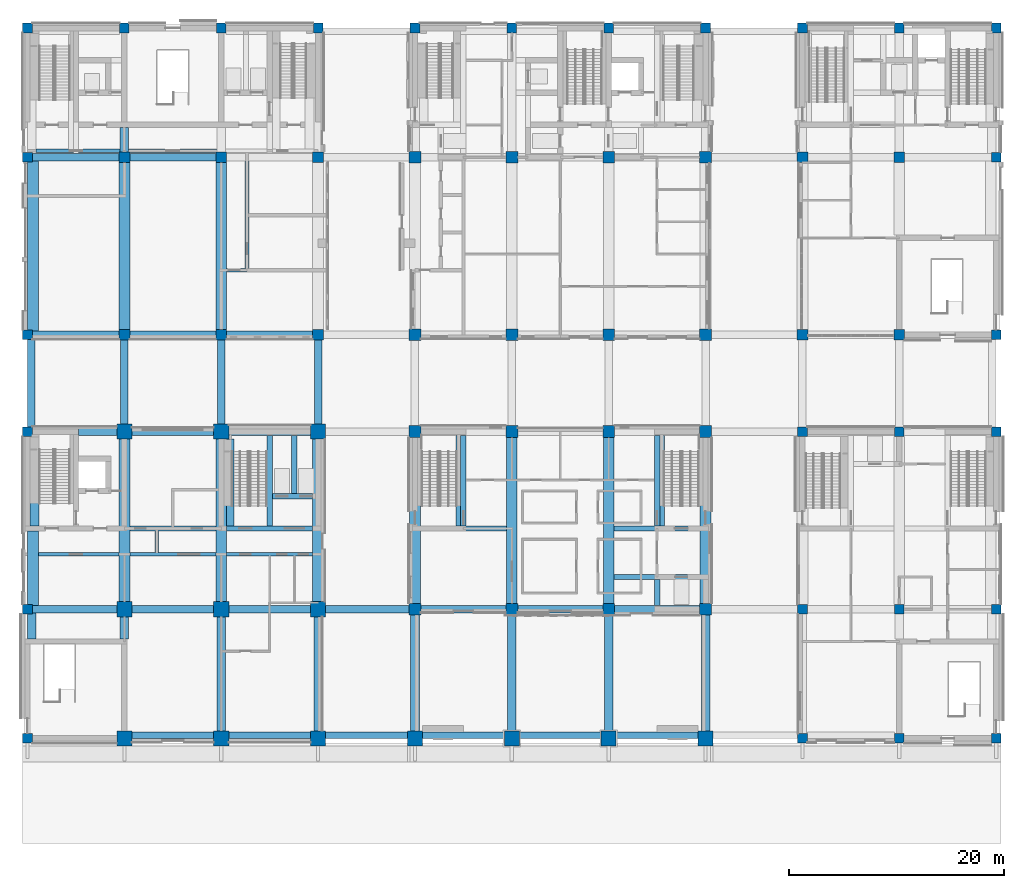
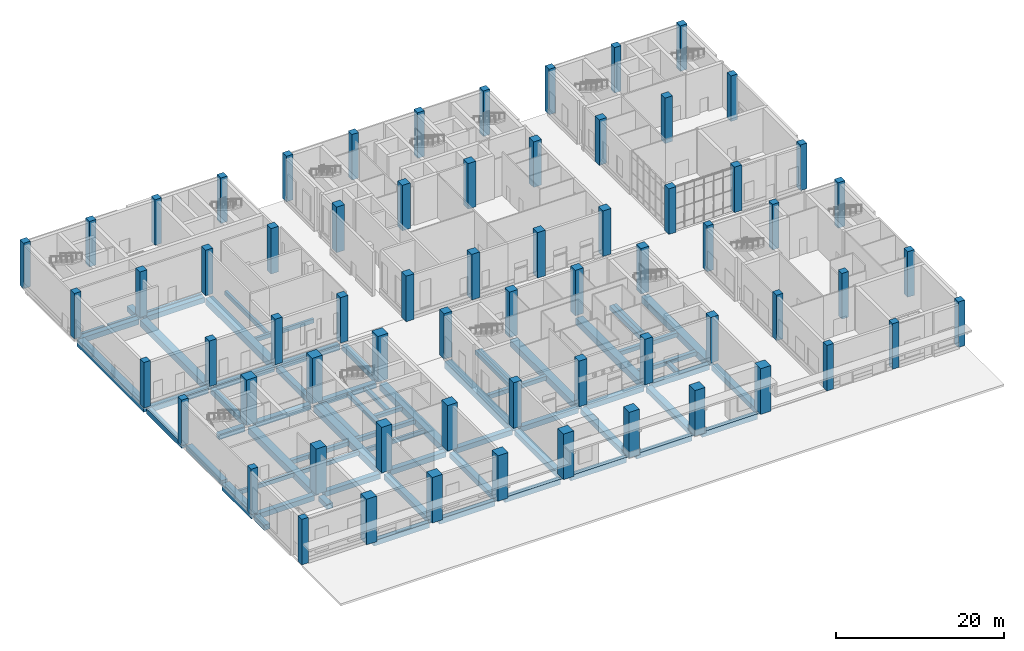
# One storey, part 1 of 35: 69 beams, 66 columns.
"""IFC4 building model written with IfcOpenShell, lengths in metres."""

from ifc_helpers import new_model, si_unit, direction, frame, origin, origin_2d, place, context, subcontext, project, spatial, rectangle, extrude, material, material_profile, profile_set, type_object, element, save


model = new_model("IFC4")

# Units and contexts
model_context = context("Model", 3, precision=1e-05, world=origin(), true_north=direction((0.0, 1.0)))
body_context = subcontext(model_context, "Body", "Model", "MODEL_VIEW")
ifc_project = project(units=[si_unit("LENGTHUNIT", "METRE"), si_unit("AREAUNIT", "SQUARE_METRE"), si_unit("VOLUMEUNIT", "CUBIC_METRE"), si_unit("PLANEANGLEUNIT", "RADIAN"), si_unit("MASSUNIT", "GRAM", prefix="KILO")], contexts=[model_context])

# Site, building, storey
site_placement = place(None, origin())
site = spatial("IfcSite", under=ifc_project, at=site_placement, CompositionType="ELEMENT")
building_placement = place(site_placement, origin())
building = spatial("IfcBuilding", under=site, at=building_placement, Name="Aurelan Courthouse", CompositionType="ELEMENT")
storey_placement = place(building_placement, origin())
storey = spatial("IfcBuildingStorey", under=building, at=storey_placement, Name="L00", CompositionType="ELEMENT", Elevation=0.0)

# Columns
ifc_material_1 = material(Name="Concrete C50", Category="concrete")
ifc_material_profile_1 = material_profile(ifc_material_1, rectangle(XDim=1.0, YDim=1.0, at=origin_2d()), Name="RC 1000 x 1000")
ifc_profile_set_1 = profile_set([ifc_material_profile_1], Name="Concrete C50")
column_type_1 = type_object("IfcColumnType", Name="RC column 1000 x 1000 C50", PredefinedType="COLUMN", material=ifc_profile_set_1)
for number, where, z_axis, x_axis, name in (
    (1, (9.0, 37.5, 0.0), (0.0, 0.0, 1.0), (1.0, 0.0, 0.0), "Column C-D2-A"),
    (2, (18.0, 37.5, 0.0), (0.0, 0.0, 1.0), (1.0, 0.0, 0.0), "Column C-D3-A"),
    (3, (27.0, 37.5, 0.0), (0.0, 0.0, 1.0), (1.0, 0.0, 0.0), "Column C-D4-A"),
    (4, (72.0, 37.5, 0.0), (0.0, 0.0, 1.0), (1.0, 0.0, 0.0), "Column C-D9-A"),
    (5, (81.0, 37.5, 0.0), (0.0, 0.0, 1.0), (1.0, 0.0, 0.0), "Column C-D10-A"),
    (6, (9.0, 54.0, 0.0), (0.0, 0.0, 1.0), (1.0, 0.0, 0.0), "Column C-E2-A"),
    (7, (18.0, 54.0, 0.0), (0.0, 0.0, 1.0), (1.0, 0.0, 0.0), "Column C-E3-A"),
    (8, (27.0, 54.0, 0.0), (0.0, 0.0, 1.0), (1.0, 0.0, 0.0), "Column C-E4-A"),
    (9, (72.0, 54.0, 0.0), (0.0, 0.0, 1.0), (1.0, 0.0, 0.0), "Column C-E9-A"),
    (10, (81.0, 54.0, 0.0), (0.0, 0.0, 1.0), (1.0, 0.0, 0.0), "Column C-E10-A"),
):
    element("IfcColumn", number, at=place(storey_placement, frame(where, z_axis=z_axis, x_axis=x_axis)), inside=storey, type_object=column_type_1, Name=name, PredefinedType="COLUMN", context=body_context, shape_type="SweptSolid", body=[
        extrude(rectangle(XDim=1.0, YDim=1.0, at=origin_2d()), origin(), (0.0, 0.0, 1.0), 6.60009765625),
    ])
ifc_material_profile_2 = material_profile(ifc_material_1, rectangle(XDim=1.10009765625, YDim=1.10009765625, at=origin_2d()), Name="RC 1100 x 1100")
ifc_profile_set_2 = profile_set([ifc_material_profile_2], Name="Concrete C50")
column_type_2 = type_object("IfcColumnType", Name="RC column 1100 x 1100 C50", PredefinedType="COLUMN", material=ifc_profile_set_2)
for number, where, z_axis, x_axis, name in (
    (11, (36.0, 12.0, 0.0), (0.0, 0.0, 1.0), (1.0, 0.0, 0.0), "Column C-B5-A"),
    (12, (45.0, 12.0, 0.0), (0.0, 0.0, 1.0), (1.0, 0.0, 0.0), "Column C-B6-A"),
    (13, (54.0, 12.0, 0.0), (0.0, 0.0, 1.0), (1.0, 0.0, 0.0), "Column C-B7-A"),
    (14, (63.0, 12.0, 0.0), (0.0, 0.0, 1.0), (1.0, 0.0, 0.0), "Column C-B8-A"),
    (15, (36.0, 28.5, 0.0), (0.0, 0.0, 1.0), (1.0, 0.0, 0.0), "Column C-C5-A"),
    (16, (45.0, 28.5, 0.0), (0.0, 0.0, 1.0), (1.0, 0.0, 0.0), "Column C-C6-A"),
    (17, (54.0, 28.5, 0.0), (0.0, 0.0, 1.0), (1.0, 0.0, 0.0), "Column C-C7-A"),
    (18, (63.0, 28.5, 0.0), (0.0, 0.0, 1.0), (1.0, 0.0, 0.0), "Column C-C8-A"),
    (19, (36.0, 37.5, 0.0), (0.0, 0.0, 1.0), (1.0, 0.0, 0.0), "Column C-D5-A"),
    (20, (45.0, 37.5, 0.0), (0.0, 0.0, 1.0), (1.0, 0.0, 0.0), "Column C-D6-A"),
    (21, (54.0, 37.5, 0.0), (0.0, 0.0, 1.0), (1.0, 0.0, 0.0), "Column C-D7-A"),
    (22, (63.0, 37.5, 0.0), (0.0, 0.0, 1.0), (1.0, 0.0, 0.0), "Column C-D8-A"),
    (23, (36.0, 54.0, 0.0), (0.0, 0.0, 1.0), (1.0, 0.0, 0.0), "Column C-E5-A"),
    (24, (45.0, 54.0, 0.0), (0.0, 0.0, 1.0), (1.0, 0.0, 0.0), "Column C-E6-A"),
    (25, (54.0, 54.0, 0.0), (0.0, 0.0, 1.0), (1.0, 0.0, 0.0), "Column C-E7-A"),
    (26, (63.0, 54.0, 0.0), (0.0, 0.0, 1.0), (1.0, 0.0, 0.0), "Column C-E8-A"),
):
    element("IfcColumn", number, at=place(storey_placement, frame(where, z_axis=z_axis, x_axis=x_axis)), inside=storey, type_object=column_type_2, Name=name, PredefinedType="COLUMN", context=body_context, shape_type="SweptSolid", body=[
        extrude(rectangle(XDim=1.10009765625, YDim=1.10009765625, at=origin_2d()), origin(), (0.0, 0.0, 1.0), 6.60009765625),
    ])
ifc_material_profile_3 = material_profile(ifc_material_1, rectangle(XDim=1.39990234375, YDim=1.39990234375, at=origin_2d()), Name="RC 1400 x 1400")
ifc_profile_set_3 = profile_set([ifc_material_profile_3], Name="Concrete C50")
column_type_3 = type_object("IfcColumnType", Name="RC column 1400 x 1400 C50", PredefinedType="COLUMN", material=ifc_profile_set_3)
for number, where, z_axis, x_axis, name in (
    (27, (9.0, 0.0, 0.0), (0.0, 0.0, 1.0), (1.0, 0.0, 0.0), "Column C-A2-A"),
    (28, (18.0, 0.0, 0.0), (0.0, 0.0, 1.0), (1.0, 0.0, 0.0), "Column C-A3-A"),
    (29, (27.0, 0.0, 0.0), (0.0, 0.0, 1.0), (1.0, 0.0, 0.0), "Column C-A4-A"),
    (30, (36.0, 0.0, 0.0), (0.0, 0.0, 1.0), (1.0, 0.0, 0.0), "Column C-A5-A"),
    (31, (45.0, 0.0, 0.0), (0.0, 0.0, 1.0), (1.0, 0.0, 0.0), "Column C-A6-A"),
    (32, (54.0, 0.0, 0.0), (0.0, 0.0, 1.0), (1.0, 0.0, 0.0), "Column C-A7-A"),
    (33, (63.0, 0.0, 0.0), (0.0, 0.0, 1.0), (1.0, 0.0, 0.0), "Column C-A8-A"),
    (34, (9.0, 12.0, 0.0), (0.0, 0.0, 1.0), (1.0, 0.0, 0.0), "Column C-B2-A"),
    (35, (18.0, 12.0, 0.0), (0.0, 0.0, 1.0), (1.0, 0.0, 0.0), "Column C-B3-A"),
    (36, (27.0, 12.0, 0.0), (0.0, 0.0, 1.0), (1.0, 0.0, 0.0), "Column C-B4-A"),
    (37, (9.0, 28.5, 0.0), (0.0, 0.0, 1.0), (1.0, 0.0, 0.0), "Column C-C2-A"),
    (38, (18.0, 28.5, 0.0), (0.0, 0.0, 1.0), (1.0, 0.0, 0.0), "Column C-C3-A"),
    (39, (27.0, 28.5, 0.0), (0.0, 0.0, 1.0), (1.0, 0.0, 0.0), "Column C-C4-A"),
):
    element("IfcColumn", number, at=place(storey_placement, frame(where, z_axis=z_axis, x_axis=x_axis)), inside=storey, type_object=column_type_3, Name=name, PredefinedType="COLUMN", context=body_context, shape_type="SweptSolid", body=[
        extrude(rectangle(XDim=1.39990234375, YDim=1.39990234375, at=origin_2d()), origin(), (0.0, 0.0, 1.0), 6.60009765625),
    ])
ifc_material_profile_4 = material_profile(ifc_material_1, rectangle(XDim=0.89990234375, YDim=0.89990234375, at=origin_2d()), Name="RC 900 x 900")
ifc_profile_set_4 = profile_set([ifc_material_profile_4], Name="Concrete C50")
column_type_4 = type_object("IfcColumnType", Name="RC column 900 x 900 C50", PredefinedType="COLUMN", material=ifc_profile_set_4)
for number, where, z_axis, x_axis, name in (
    (40, (0.0, 0.0, 0.0), (0.0, 0.0, 1.0), (1.0, 0.0, 0.0), "Column C-A1-A"),
    (41, (72.0, 0.0, 0.0), (0.0, 0.0, 1.0), (1.0, 0.0, 0.0), "Column C-A9-A"),
    (42, (81.0, 0.0, 0.0), (0.0, 0.0, 1.0), (1.0, 0.0, 0.0), "Column C-A10-A"),
    (43, (90.0, 0.0, 0.0), (0.0, 0.0, 1.0), (1.0, 0.0, 0.0), "Column C-A11-A"),
    (44, (0.0, 12.0, 0.0), (0.0, 0.0, 1.0), (1.0, 0.0, 0.0), "Column C-B1-A"),
    (45, (72.0, 12.0, 0.0), (0.0, 0.0, 1.0), (1.0, 0.0, 0.0), "Column C-B9-A"),
    (46, (81.0, 12.0, 0.0), (0.0, 0.0, 1.0), (1.0, 0.0, 0.0), "Column C-B10-A"),
    (47, (90.0, 12.0, 0.0), (0.0, 0.0, 1.0), (1.0, 0.0, 0.0), "Column C-B11-A"),
    (48, (0.0, 28.5, 0.0), (0.0, 0.0, 1.0), (1.0, 0.0, 0.0), "Column C-C1-A"),
    (49, (72.0, 28.5, 0.0), (0.0, 0.0, 1.0), (1.0, 0.0, 0.0), "Column C-C9-A"),
    (50, (81.0, 28.5, 0.0), (0.0, 0.0, 1.0), (1.0, 0.0, 0.0), "Column C-C10-A"),
    (51, (90.0, 28.5, 0.0), (0.0, 0.0, 1.0), (1.0, 0.0, 0.0), "Column C-C11-A"),
    (52, (0.0, 37.5, 0.0), (0.0, 0.0, 1.0), (1.0, 0.0, 0.0), "Column C-D1-A"),
    (53, (90.0, 37.5, 0.0), (0.0, 0.0, 1.0), (1.0, 0.0, 0.0), "Column C-D11-A"),
    (54, (0.0, 54.0, 0.0), (0.0, 0.0, 1.0), (1.0, 0.0, 0.0), "Column C-E1-A"),
    (55, (90.0, 54.0, 0.0), (0.0, 0.0, 1.0), (1.0, 0.0, 0.0), "Column C-E11-A"),
    (56, (0.0, 66.0, 0.0), (0.0, 0.0, 1.0), (1.0, 0.0, 0.0), "Column C-F1-A"),
    (57, (9.0, 66.0, 0.0), (0.0, 0.0, 1.0), (1.0, 0.0, 0.0), "Column C-F2-A"),
    (58, (18.0, 66.0, 0.0), (0.0, 0.0, 1.0), (1.0, 0.0, 0.0), "Column C-F3-A"),
    (59, (27.0, 66.0, 0.0), (0.0, 0.0, 1.0), (1.0, 0.0, 0.0), "Column C-F4-A"),
    (60, (36.0, 66.0, 0.0), (0.0, 0.0, 1.0), (1.0, 0.0, 0.0), "Column C-F5-A"),
    (61, (45.0, 66.0, 0.0), (0.0, 0.0, 1.0), (1.0, 0.0, 0.0), "Column C-F6-A"),
    (62, (54.0, 66.0, 0.0), (0.0, 0.0, 1.0), (1.0, 0.0, 0.0), "Column C-F7-A"),
    (63, (63.0, 66.0, 0.0), (0.0, 0.0, 1.0), (1.0, 0.0, 0.0), "Column C-F8-A"),
    (64, (72.0, 66.0, 0.0), (0.0, 0.0, 1.0), (1.0, 0.0, 0.0), "Column C-F9-A"),
    (65, (81.0, 66.0, 0.0), (0.0, 0.0, 1.0), (1.0, 0.0, 0.0), "Column C-F10-A"),
    (66, (90.0, 66.0, 0.0), (0.0, 0.0, 1.0), (1.0, 0.0, 0.0), "Column C-F11-A"),
):
    element("IfcColumn", number, at=place(storey_placement, frame(where, z_axis=z_axis, x_axis=x_axis)), inside=storey, type_object=column_type_4, Name=name, PredefinedType="COLUMN", context=body_context, shape_type="SweptSolid", body=[
        extrude(rectangle(XDim=0.89990234375, YDim=0.89990234375, at=origin_2d()), origin(), (0.0, 0.0, 1.0), 6.60009765625),
    ])

# Beams
ifc_material_profile_5 = material_profile(ifc_material_1, rectangle(XDim=0.699951171875, YDim=0.75, at=origin_2d()), Name="RC 700 x 750")
ifc_profile_set_5 = profile_set([ifc_material_profile_5], Name="Concrete C50")
beam_type_1 = type_object("IfcBeamType", Name="PT beam 700 x 750", PredefinedType="BEAM", material=ifc_profile_set_5)
beam_1_placement = place(storey_placement, frame((0.35009765625, 28.85009765625, -0.675048828125), z_axis=(0.0, 1.0, 0.0), x_axis=(-1.0, 0.0, 0.0)))
element("IfcBeam", 67, at=beam_1_placement, inside=storey, type_object=beam_type_1, Name="Girder GB-1CD-E", PredefinedType="BEAM", context=body_context, shape_type="SweptSolid", body=[
    extrude(rectangle(XDim=0.699951171875, YDim=0.75, at=origin_2d()), origin(), (0.0, 0.0, 1.0), 8.2998046875),
])
for number, where, z_axis, x_axis, name in (
    (68, (9.0, 29.199951171875, -0.675048828125), (0.0, 1.0, 0.0), (-1.0, 0.0, 0.0), "Girder GB-2CD"),
    (69, (18.0, 29.199951171875, -0.675048828125), (0.0, 1.0, 0.0), (-1.0, 0.0, 0.0), "Girder GB-3CD"),
    (70, (27.0, 29.199951171875, -0.675048828125), (0.0, 1.0, 0.0), (-1.0, 0.0, 0.0), "Girder GB-4CD"),
):
    element("IfcBeam", number, at=place(storey_placement, frame(where, z_axis=z_axis, x_axis=x_axis)), inside=storey, type_object=beam_type_1, Name=name, PredefinedType="BEAM", context=body_context, shape_type="SweptSolid", body=[
        extrude(rectangle(XDim=0.699951171875, YDim=0.75, at=origin_2d()), origin(), (0.0, 0.0, 1.0), 7.800048828125),
    ])
beam_2_placement = place(storey_placement, frame((0.449951171875, 12.0, -0.675048828125), z_axis=(1.0, 0.0, 0.0), x_axis=(0.0, 1.0, 0.0)))
element("IfcBeam", 71, at=beam_2_placement, inside=storey, type_object=beam_type_1, Name="Beam EB-B-1-2", PredefinedType="BEAM", context=body_context, shape_type="SweptSolid", body=[
    extrude(rectangle(XDim=0.699951171875, YDim=0.75, at=origin_2d()), origin(), (0.0, 0.0, 1.0), 7.85009765625),
])
for number, where, z_axis, x_axis, name in (
    (72, (9.699951171875, 12.0, -0.675048828125), (1.0, 0.0, 0.0), (0.0, 1.0, 0.0), "Beam EB-B-2-3"),
    (73, (18.699951171875, 12.0, -0.675048828125), (1.0, 0.0, 0.0), (0.0, 1.0, 0.0), "Beam EB-B-3-4"),
):
    element("IfcBeam", number, at=place(storey_placement, frame(where, z_axis=z_axis, x_axis=x_axis)), inside=storey, type_object=beam_type_1, Name=name, PredefinedType="BEAM", context=body_context, shape_type="SweptSolid", body=[
        extrude(rectangle(XDim=0.699951171875, YDim=0.75, at=origin_2d()), origin(), (0.0, 0.0, 1.0), 7.60009765625),
    ])
beam_3_placement = place(storey_placement, frame((27.699951171875, 12.0, -0.675048828125), z_axis=(1.0, 0.0, 0.0), x_axis=(0.0, 1.0, 0.0)))
element("IfcBeam", 74, at=beam_3_placement, inside=storey, type_object=beam_type_1, Name="Beam EB-B-4-5", PredefinedType="BEAM", context=body_context, shape_type="SweptSolid", body=[
    extrude(rectangle(XDim=0.699951171875, YDim=0.75, at=origin_2d()), origin(), (0.0, 0.0, 1.0), 7.75),
])
for number, where, z_axis, x_axis, name in (
    (75, (36.550048828125, 12.0, -0.675048828125), (1.0, 0.0, 0.0), (0.0, 1.0, 0.0), "Beam EB-B-5-6"),
    (76, (45.550048828125, 12.0, -0.675048828125), (1.0, 0.0, 0.0), (0.0, 1.0, 0.0), "Beam EB-B-6-7"),
    (77, (54.550048828125, 12.0, -0.675048828125), (1.0, 0.0, 0.0), (0.0, 1.0, 0.0), "Beam EB-B-7-8"),
):
    element("IfcBeam", number, at=place(storey_placement, frame(where, z_axis=z_axis, x_axis=x_axis)), inside=storey, type_object=beam_type_1, Name=name, PredefinedType="BEAM", context=body_context, shape_type="SweptSolid", body=[
        extrude(rectangle(XDim=0.699951171875, YDim=0.75, at=origin_2d()), origin(), (0.0, 0.0, 1.0), 7.89990234375),
    ])
beam_4_placement = place(storey_placement, frame((4.75, 28.5, -0.675048828125), z_axis=(1.0, 0.0, 0.0), x_axis=(0.0, 1.0, 0.0)))
element("IfcBeam", 78, at=beam_4_placement, inside=storey, type_object=beam_type_1, Name="Beam EB-C-1-2", PredefinedType="BEAM", context=body_context, shape_type="SweptSolid", body=[
    extrude(rectangle(XDim=0.699951171875, YDim=0.75, at=origin_2d()), origin(), (0.0, 0.0, 1.0), 3.550048828125),
])
for number, where, z_axis, x_axis, name in (
    (79, (9.699951171875, 28.5, -0.675048828125), (1.0, 0.0, 0.0), (0.0, 1.0, 0.0), "Beam EB-C-2-3"),
    (80, (18.699951171875, 28.5, -0.675048828125), (1.0, 0.0, 0.0), (0.0, 1.0, 0.0), "Beam EB-C-3-4"),
):
    element("IfcBeam", number, at=place(storey_placement, frame(where, z_axis=z_axis, x_axis=x_axis)), inside=storey, type_object=beam_type_1, Name=name, PredefinedType="BEAM", context=body_context, shape_type="SweptSolid", body=[
        extrude(rectangle(XDim=0.699951171875, YDim=0.75, at=origin_2d()), origin(), (0.0, 0.0, 1.0), 7.60009765625),
    ])
beam_5_placement = place(storey_placement, frame((0.449951171875, 37.5, -0.675048828125), z_axis=(1.0, 0.0, 0.0), x_axis=(0.0, 1.0, 0.0)))
element("IfcBeam", 81, at=beam_5_placement, inside=storey, type_object=beam_type_1, Name="Beam EB-D-1-2", PredefinedType="BEAM", context=body_context, shape_type="SweptSolid", body=[
    extrude(rectangle(XDim=0.699951171875, YDim=0.75, at=origin_2d()), origin(), (0.0, 0.0, 1.0), 8.050048828125),
])
for number, where, z_axis, x_axis, name in (
    (82, (9.5, 37.5, -0.675048828125), (1.0, 0.0, 0.0), (0.0, 1.0, 0.0), "Beam EB-D-2-3"),
    (83, (18.5, 37.5, -0.675048828125), (1.0, 0.0, 0.0), (0.0, 1.0, 0.0), "Beam EB-D-3-4"),
):
    element("IfcBeam", number, at=place(storey_placement, frame(where, z_axis=z_axis, x_axis=x_axis)), inside=storey, type_object=beam_type_1, Name=name, PredefinedType="BEAM", context=body_context, shape_type="SweptSolid", body=[
        extrude(rectangle(XDim=0.699951171875, YDim=0.75, at=origin_2d()), origin(), (0.0, 0.0, 1.0), 8.0),
    ])
beam_6_placement = place(storey_placement, frame((0.449951171875, 54.0, -0.675048828125), z_axis=(1.0, 0.0, 0.0), x_axis=(0.0, 1.0, 0.0)))
element("IfcBeam", 84, at=beam_6_placement, inside=storey, type_object=beam_type_1, Name="Beam EB-E-1-2", PredefinedType="BEAM", context=body_context, shape_type="SweptSolid", body=[
    extrude(rectangle(XDim=0.699951171875, YDim=0.75, at=origin_2d()), origin(), (0.0, 0.0, 1.0), 8.050048828125),
])
beam_7_placement = place(storey_placement, frame((9.5, 54.0, -0.675048828125), z_axis=(1.0, 0.0, 0.0), x_axis=(0.0, 1.0, 0.0)))
element("IfcBeam", 85, at=beam_7_placement, inside=storey, type_object=beam_type_1, Name="Beam EB-E-2-3", PredefinedType="BEAM", context=body_context, shape_type="SweptSolid", body=[
    extrude(rectangle(XDim=0.699951171875, YDim=0.75, at=origin_2d()), origin(), (0.0, 0.0, 1.0), 8.0),
])
ifc_material_profile_6 = material_profile(ifc_material_1, rectangle(XDim=1.0, YDim=0.949951171875, at=origin_2d()), Name="RC 1000 x 950")
ifc_profile_set_6 = profile_set([ifc_material_profile_6], Name="Concrete C50")
beam_type_2 = type_object("IfcBeamType", Name="PT girder 1000 x 950", PredefinedType="BEAM", material=ifc_profile_set_6)
beam_8_placement = place(storey_placement, frame((0.5, 12.35009765625, -0.77490234375), z_axis=(0.0, 1.0, 0.0), x_axis=(-1.0, 0.0, 0.0)))
element("IfcBeam", 86, at=beam_8_placement, inside=storey, type_object=beam_type_2, Name="Girder GB-1BC-E", PredefinedType="BEAM", context=body_context, shape_type="SweptSolid", body=[
    extrude(rectangle(XDim=1.0, YDim=0.949951171875, at=origin_2d()), origin(), (0.0, 0.0, 1.0), 6.89990234375),
])
beam_9_placement = place(storey_placement, frame((0.5, 37.85009765625, -0.77490234375), z_axis=(0.0, 1.0, 0.0), x_axis=(-1.0, 0.0, 0.0)))
element("IfcBeam", 87, at=beam_9_placement, inside=storey, type_object=beam_type_2, Name="Girder GB-1DE-E", PredefinedType="BEAM", context=body_context, shape_type="SweptSolid", body=[
    extrude(rectangle(XDim=1.0, YDim=0.949951171875, at=origin_2d()), origin(), (0.0, 0.0, 1.0), 15.7998046875),
])
beam_10_placement = place(storey_placement, frame((9.0, 12.699951171875, -0.77490234375), z_axis=(0.0, 1.0, 0.0), x_axis=(-1.0, 0.0, 0.0)))
element("IfcBeam", 88, at=beam_10_placement, inside=storey, type_object=beam_type_2, Name="Girder GB-2BC", PredefinedType="BEAM", context=body_context, shape_type="SweptSolid", body=[
    extrude(rectangle(XDim=1.0, YDim=0.949951171875, at=origin_2d()), origin(), (0.0, 0.0, 1.0), 15.10009765625),
])
beam_11_placement = place(storey_placement, frame((9.0, 38.0, -0.77490234375), z_axis=(0.0, 1.0, 0.0), x_axis=(-1.0, 0.0, 0.0)))
element("IfcBeam", 89, at=beam_11_placement, inside=storey, type_object=beam_type_2, Name="Girder GB-2DE", PredefinedType="BEAM", context=body_context, shape_type="SweptSolid", body=[
    extrude(rectangle(XDim=1.0, YDim=0.949951171875, at=origin_2d()), origin(), (0.0, 0.0, 1.0), 15.5),
])
beam_12_placement = place(storey_placement, frame((18.0, 12.699951171875, -0.77490234375), z_axis=(0.0, 1.0, 0.0), x_axis=(-1.0, 0.0, 0.0)))
element("IfcBeam", 90, at=beam_12_placement, inside=storey, type_object=beam_type_2, Name="Girder GB-3BC", PredefinedType="BEAM", context=body_context, shape_type="SweptSolid", body=[
    extrude(rectangle(XDim=1.0, YDim=0.949951171875, at=origin_2d()), origin(), (0.0, 0.0, 1.0), 15.10009765625),
])
beam_13_placement = place(storey_placement, frame((18.0, 38.0, -0.77490234375), z_axis=(0.0, 1.0, 0.0), x_axis=(-1.0, 0.0, 0.0)))
element("IfcBeam", 91, at=beam_13_placement, inside=storey, type_object=beam_type_2, Name="Girder GB-3DE", PredefinedType="BEAM", context=body_context, shape_type="SweptSolid", body=[
    extrude(rectangle(XDim=1.0, YDim=0.949951171875, at=origin_2d()), origin(), (0.0, 0.0, 1.0), 15.5),
])
beam_14_placement = place(storey_placement, frame((27.0, 12.699951171875, -0.77490234375), z_axis=(0.0, 1.0, 0.0), x_axis=(-1.0, 0.0, 0.0)))
element("IfcBeam", 92, at=beam_14_placement, inside=storey, type_object=beam_type_2, Name="Girder GB-4BC", PredefinedType="BEAM", context=body_context, shape_type="SweptSolid", body=[
    extrude(rectangle(XDim=1.0, YDim=0.949951171875, at=origin_2d()), origin(), (0.0, 0.0, 1.0), 15.10009765625),
])
for number, where, z_axis, x_axis, name in (
    (93, (36.0, 12.550048828125, -0.77490234375), (0.0, 1.0, 0.0), (-1.0, 0.0, 0.0), "Girder GB-5BC"),
    (94, (45.0, 12.550048828125, -0.77490234375), (0.0, 1.0, 0.0), (-1.0, 0.0, 0.0), "Girder GB-6BC"),
    (95, (54.0, 12.550048828125, -0.77490234375), (0.0, 1.0, 0.0), (-1.0, 0.0, 0.0), "Girder GB-7BC"),
    (96, (63.0, 12.550048828125, -0.77490234375), (0.0, 1.0, 0.0), (-1.0, 0.0, 0.0), "Girder GB-8BC"),
):
    element("IfcBeam", number, at=place(storey_placement, frame(where, z_axis=z_axis, x_axis=x_axis)), inside=storey, type_object=beam_type_2, Name=name, PredefinedType="BEAM", context=body_context, shape_type="SweptSolid", body=[
        extrude(rectangle(XDim=1.0, YDim=0.949951171875, at=origin_2d()), origin(), (0.0, 0.0, 1.0), 15.39990234375),
    ])
ifc_material_profile_7 = material_profile(ifc_material_1, rectangle(XDim=0.800048828125, YDim=0.75, at=origin_2d()), Name="RC 800 x 750")
ifc_profile_set_7 = profile_set([ifc_material_profile_7], Name="Concrete C50")
beam_type_3 = type_object("IfcBeamType", Name="PT girder 800 x 750", PredefinedType="BEAM", material=ifc_profile_set_7)
beam_15_placement = place(storey_placement, frame((0.39990234375, 9.25, -0.675048828125), z_axis=(0.0, 1.0, 0.0), x_axis=(-1.0, 0.0, 0.0)))
element("IfcBeam", 97, at=beam_15_placement, inside=storey, type_object=beam_type_3, Name="Girder GB-1AB-E", PredefinedType="BEAM", context=body_context, shape_type="SweptSolid", body=[
    extrude(rectangle(XDim=0.800048828125, YDim=0.75, at=origin_2d()), origin(), (0.0, 0.0, 1.0), 2.39990234375),
])
beam_16_placement = place(storey_placement, frame((9.0, 9.25, -0.675048828125), z_axis=(0.0, 1.0, 0.0), x_axis=(-1.0, 0.0, 0.0)))
element("IfcBeam", 98, at=beam_16_placement, inside=storey, type_object=beam_type_3, Name="Girder GB-2AB", PredefinedType="BEAM", context=body_context, shape_type="SweptSolid", body=[
    extrude(rectangle(XDim=0.800048828125, YDim=0.75, at=origin_2d()), origin(), (0.0, 0.0, 1.0), 2.050048828125),
])
beam_17_placement = place(storey_placement, frame((9.0, 54.5, -0.675048828125), z_axis=(0.0, 1.0, 0.0), x_axis=(-1.0, 0.0, 0.0)))
element("IfcBeam", 99, at=beam_17_placement, inside=storey, type_object=beam_type_3, Name="Girder GB-2EF", PredefinedType="BEAM", context=body_context, shape_type="SweptSolid", body=[
    extrude(rectangle(XDim=0.800048828125, YDim=0.75, at=origin_2d()), origin(), (0.0, 0.0, 1.0), 2.25),
])
for number, where, z_axis, x_axis, name in (
    (100, (18.0, 0.699951171875, -0.675048828125), (0.0, 1.0, 0.0), (-1.0, 0.0, 0.0), "Girder GB-3AB"),
    (101, (27.0, 0.699951171875, -0.675048828125), (0.0, 1.0, 0.0), (-1.0, 0.0, 0.0), "Girder GB-4AB"),
):
    element("IfcBeam", number, at=place(storey_placement, frame(where, z_axis=z_axis, x_axis=x_axis)), inside=storey, type_object=beam_type_3, Name=name, PredefinedType="BEAM", context=body_context, shape_type="SweptSolid", body=[
        extrude(rectangle(XDim=0.800048828125, YDim=0.75, at=origin_2d()), origin(), (0.0, 0.0, 1.0), 10.60009765625),
    ])
for number, where, z_axis, x_axis, name in (
    (102, (36.0, 0.699951171875, -0.675048828125), (0.0, 1.0, 0.0), (-1.0, 0.0, 0.0), "Girder GB-5AB"),
    (103, (45.0, 0.699951171875, -0.675048828125), (0.0, 1.0, 0.0), (-1.0, 0.0, 0.0), "Girder GB-6AB"),
    (104, (54.0, 0.699951171875, -0.675048828125), (0.0, 1.0, 0.0), (-1.0, 0.0, 0.0), "Girder GB-7AB"),
    (105, (63.0, 0.699951171875, -0.675048828125), (0.0, 1.0, 0.0), (-1.0, 0.0, 0.0), "Girder GB-8AB"),
):
    element("IfcBeam", number, at=place(storey_placement, frame(where, z_axis=z_axis, x_axis=x_axis)), inside=storey, type_object=beam_type_3, Name=name, PredefinedType="BEAM", context=body_context, shape_type="SweptSolid", body=[
        extrude(rectangle(XDim=0.800048828125, YDim=0.75, at=origin_2d()), origin(), (0.0, 0.0, 1.0), 10.75),
    ])
ifc_material_profile_8 = material_profile(ifc_material_1, rectangle(XDim=0.60009765625, YDim=0.800048828125, at=origin_2d()), Name="RC 600 x 800")
ifc_profile_set_8 = profile_set([ifc_material_profile_8], Name="Concrete C50")
beam_type_4 = type_object("IfcBeamType", Name="RC spandrel beam 600 x 800", PredefinedType="SPANDREL", material=ifc_profile_set_8)
for number, where, z_axis, x_axis, name in (
    (106, (9.699951171875, 0.300048828125, -0.699951171875), (1.0, 0.0, 0.0), (0.0, 1.0, 0.0), "Spandrel beam SB-A-2-3"),
    (107, (18.699951171875, 0.300048828125, -0.699951171875), (1.0, 0.0, 0.0), (0.0, 1.0, 0.0), "Spandrel beam SB-A-3-4"),
    (108, (27.699951171875, 0.300048828125, -0.699951171875), (1.0, 0.0, 0.0), (0.0, 1.0, 0.0), "Spandrel beam SB-A-4-5"),
    (109, (36.699951171875, 0.300048828125, -0.699951171875), (1.0, 0.0, 0.0), (0.0, 1.0, 0.0), "Spandrel beam SB-A-5-6"),
    (110, (45.699951171875, 0.300048828125, -0.699951171875), (1.0, 0.0, 0.0), (0.0, 1.0, 0.0), "Spandrel beam SB-A-6-7"),
    (111, (54.699951171875, 0.300048828125, -0.699951171875), (1.0, 0.0, 0.0), (0.0, 1.0, 0.0), "Spandrel beam SB-A-7-8"),
):
    element("IfcBeam", number, at=place(storey_placement, frame(where, z_axis=z_axis, x_axis=x_axis)), inside=storey, type_object=beam_type_4, Name=name, PredefinedType="SPANDREL", context=body_context, shape_type="SweptSolid", body=[
        extrude(rectangle(XDim=0.60009765625, YDim=0.800048828125, at=origin_2d()), origin(), (0.0, 0.0, 1.0), 7.60009765625),
    ])
ifc_material_2 = material(Name="Concrete C40", Category="concrete")
ifc_material_profile_9 = material_profile(ifc_material_2, rectangle(XDim=0.35009765625, YDim=0.5, at=origin_2d()), Name="RC 350 x 500")
ifc_profile_set_9 = profile_set([ifc_material_profile_9], Name="Concrete C40")
beam_type_5 = type_object("IfcBeamType", Name="RC wall beam 350 x 500", PredefinedType="BEAM", material=ifc_profile_set_9)
beam_18_placement = place(storey_placement, frame((0.800048828125, 54.60009765625, -0.550048828125), z_axis=(1.0, 0.0, 0.0), x_axis=(0.0, 1.0, 0.0)))
element("IfcBeam", 112, at=beam_18_placement, inside=storey, type_object=beam_type_5, Name="Wall beam WB-L00-042", PredefinedType="BEAM", context=body_context, shape_type="SweptSolid", body=[
    extrude(rectangle(XDim=0.35009765625, YDim=0.5, at=origin_2d()), origin(), (0.0, 0.0, 1.0), 3.449951171875),
])
beam_19_placement = place(storey_placement, frame((4.75, 54.60009765625, -0.550048828125), z_axis=(1.0, 0.0, 0.0), x_axis=(0.0, 1.0, 0.0)))
element("IfcBeam", 113, at=beam_19_placement, inside=storey, type_object=beam_type_5, Name="Wall beam WB-L00-043", PredefinedType="BEAM", context=body_context, shape_type="SweptSolid", body=[
    extrude(rectangle(XDim=0.35009765625, YDim=0.5, at=origin_2d()), origin(), (0.0, 0.0, 1.0), 3.85009765625),
])
beam_20_placement = place(storey_placement, frame((12.0, 17.27490234375, -0.550048828125), z_axis=(0.0, 1.0, 0.0), x_axis=(-1.0, 0.0, 0.0)))
element("IfcBeam", 114, at=beam_20_placement, inside=storey, type_object=beam_type_5, Name="Wall beam WB-L00-065", PredefinedType="BEAM", context=body_context, shape_type="SweptSolid", body=[
    extrude(rectangle(XDim=0.35009765625, YDim=0.5, at=origin_2d()), origin(), (0.0, 0.0, 1.0), 1.97509765625),
])
ifc_material_profile_10 = material_profile(ifc_material_2, rectangle(XDim=0.35009765625, YDim=0.60009765625, at=origin_2d()), Name="RC 350 x 600")
ifc_profile_set_10 = profile_set([ifc_material_profile_10], Name="Concrete C40")
beam_type_6 = type_object("IfcBeamType", Name="RC wall beam 350 x 600", PredefinedType="BEAM", material=ifc_profile_set_10)
beam_21_placement = place(storey_placement, frame((1.0, 17.10009765625, -0.60009765625), z_axis=(1.0, 0.0, 0.0), x_axis=(0.0, 1.0, 0.0)))
element("IfcBeam", 115, at=beam_21_placement, inside=storey, type_object=beam_type_6, Name="Wall beam WB-L00-038", PredefinedType="BEAM", context=body_context, shape_type="SweptSolid", body=[
    extrude(rectangle(XDim=0.35009765625, YDim=0.60009765625, at=origin_2d()), origin(), (0.0, 0.0, 1.0), 7.5),
])
for number, where, z_axis, x_axis, name in (
    (116, (9.5, 17.10009765625, -0.60009765625), (1.0, 0.0, 0.0), (0.0, 1.0, 0.0), "Wall beam WB-L00-039"),
    (117, (18.5, 17.10009765625, -0.60009765625), (1.0, 0.0, 0.0), (0.0, 1.0, 0.0), "Wall beam WB-L00-040"),
    (118, (18.5, 43.5, -0.60009765625), (1.0, 0.0, 0.0), (0.0, 1.0, 0.0), "Wall beam WB-L00-060"),
):
    element("IfcBeam", number, at=place(storey_placement, frame(where, z_axis=z_axis, x_axis=x_axis)), inside=storey, type_object=beam_type_6, Name=name, PredefinedType="BEAM", context=body_context, shape_type="SweptSolid", body=[
        extrude(rectangle(XDim=0.35009765625, YDim=0.60009765625, at=origin_2d()), origin(), (0.0, 0.0, 1.0), 8.0),
    ])
beam_22_placement = place(storey_placement, frame((20.39990234375, 43.675048828125, -0.60009765625), z_axis=(0.0, 1.0, 0.0), x_axis=(-1.0, 0.0, 0.0)))
element("IfcBeam", 119, at=beam_22_placement, inside=storey, type_object=beam_type_6, Name="Wall beam WB-L00-061", PredefinedType="BEAM", context=body_context, shape_type="SweptSolid", body=[
    extrude(rectangle(XDim=0.35009765625, YDim=0.60009765625, at=origin_2d()), origin(), (0.0, 0.0, 1.0), 9.974853515625),
])
ifc_material_profile_11 = material_profile(ifc_material_2, rectangle(XDim=0.35009765625, YDim=0.699951171875, at=origin_2d()), Name="RC 350 x 700")
ifc_profile_set_11 = profile_set([ifc_material_profile_11], Name="Concrete C40")
beam_type_7 = type_object("IfcBeamType", Name="RC wall beam 350 x 700", PredefinedType="BEAM", material=ifc_profile_set_11)
beam_23_placement = place(storey_placement, frame((9.39990234375, 54.60009765625, -0.64990234375), z_axis=(1.0, 0.0, 0.0), x_axis=(0.0, 1.0, 0.0)))
element("IfcBeam", 120, at=beam_23_placement, inside=storey, type_object=beam_type_7, Name="Wall beam WB-L00-044", PredefinedType="BEAM", context=body_context, shape_type="SweptSolid", body=[
    extrude(rectangle(XDim=0.35009765625, YDim=0.699951171875, at=origin_2d()), origin(), (0.0, 0.0, 1.0), 8.2001953125),
])
ifc_material_profile_12 = material_profile(ifc_material_2, rectangle(XDim=0.449951171875, YDim=0.60009765625, at=origin_2d()), Name="RC 450 x 600")
ifc_profile_set_12 = profile_set([ifc_material_profile_12], Name="Concrete C40")
beam_type_8 = type_object("IfcBeamType", Name="RC wall beam 450 x 600", PredefinedType="BEAM", material=ifc_profile_set_12)
for number, where, z_axis, x_axis, name in (
    (121, (40.02490234375, 19.75, -0.60009765625), (0.0, 1.0, 0.0), (-1.0, 0.0, 0.0), "Wall beam WB-L00-047"),
    (122, (58.97509765625, 19.75, -0.60009765625), (0.0, 1.0, 0.0), (-1.0, 0.0, 0.0), "Wall beam WB-L00-048"),
):
    element("IfcBeam", number, at=place(storey_placement, frame(where, z_axis=z_axis, x_axis=x_axis)), inside=storey, type_object=beam_type_8, Name=name, PredefinedType="BEAM", context=body_context, shape_type="SweptSolid", body=[
        extrude(rectangle(XDim=0.449951171875, YDim=0.60009765625, at=origin_2d()), origin(), (0.0, 0.0, 1.0), 8.39990234375),
    ])
ifc_material_profile_13 = material_profile(ifc_material_2, rectangle(XDim=0.5, YDim=0.5, at=origin_2d()), Name="RC 500 x 500")
ifc_profile_set_13 = profile_set([ifc_material_profile_13], Name="Concrete C40")
beam_type_9 = type_object("IfcBeamType", Name="RC wall beam 500 x 500", PredefinedType="BEAM", material=ifc_profile_set_13)
beam_24_placement = place(storey_placement, frame((58.5, 12.35009765625, -0.550048828125), z_axis=(0.0, 1.0, 0.0), x_axis=(-1.0, 0.0, 0.0)))
element("IfcBeam", 123, at=beam_24_placement, inside=storey, type_object=beam_type_9, Name="Wall beam WB-L00-029", PredefinedType="BEAM", context=body_context, shape_type="SweptSolid", body=[
    extrude(rectangle(XDim=0.5, YDim=0.5, at=origin_2d()), origin(), (0.0, 0.0, 1.0), 2.39990234375),
])
beam_25_placement = place(storey_placement, frame((22.75, 22.5, -0.550048828125), z_axis=(1.0, 0.0, 0.0), x_axis=(0.0, 1.0, 0.0)))
element("IfcBeam", 124, at=beam_25_placement, inside=storey, type_object=beam_type_9, Name="Wall beam WB-L00-032", PredefinedType="BEAM", context=body_context, shape_type="SweptSolid", body=[
    extrude(rectangle(XDim=0.5, YDim=0.5, at=origin_2d()), origin(), (0.0, 0.0, 1.0), 3.75),
])
beam_26_placement = place(storey_placement, frame((24.800048828125, 22.75, -0.550048828125), z_axis=(0.0, 1.0, 0.0), x_axis=(-1.0, 0.0, 0.0)))
element("IfcBeam", 125, at=beam_26_placement, inside=storey, type_object=beam_type_9, Name="Wall beam WB-L00-036", PredefinedType="BEAM", context=body_context, shape_type="SweptSolid", body=[
    extrude(rectangle(XDim=0.5, YDim=0.5, at=origin_2d()), origin(), (0.0, 0.0, 1.0), 5.39990234375),
])
ifc_material_profile_14 = material_profile(ifc_material_2, rectangle(XDim=0.5, YDim=0.60009765625, at=origin_2d()), Name="RC 500 x 600")
ifc_profile_set_14 = profile_set([ifc_material_profile_14], Name="Concrete C40")
beam_type_10 = type_object("IfcBeamType", Name="RC wall beam 500 x 600", PredefinedType="BEAM", material=ifc_profile_set_14)
for number, where, z_axis, x_axis, name in (
    (126, (18.5, 19.5, -0.60009765625), (1.0, 0.0, 0.0), (0.0, 1.0, 0.0), "Wall beam WB-L00-002"),
    (127, (54.5, 15.0, -0.60009765625), (1.0, 0.0, 0.0), (0.0, 1.0, 0.0), "Wall beam WB-L00-005"),
    (128, (36.5, 19.5, -0.60009765625), (1.0, 0.0, 0.0), (0.0, 1.0, 0.0), "Wall beam WB-L00-006"),
    (129, (54.5, 19.5, -0.60009765625), (1.0, 0.0, 0.0), (0.0, 1.0, 0.0), "Wall beam WB-L00-007"),
):
    element("IfcBeam", number, at=place(storey_placement, frame(where, z_axis=z_axis, x_axis=x_axis)), inside=storey, type_object=beam_type_10, Name=name, PredefinedType="BEAM", context=body_context, shape_type="SweptSolid", body=[
        extrude(rectangle(XDim=0.5, YDim=0.60009765625, at=origin_2d()), origin(), (0.0, 0.0, 1.0), 8.0),
    ])
for number, where, z_axis, x_axis, name in (
    (130, (22.5, 19.75, -0.60009765625), (0.0, 1.0, 0.0), (-1.0, 0.0, 0.0), "Wall beam WB-L00-015"),
    (131, (40.5, 19.75, -0.60009765625), (0.0, 1.0, 0.0), (-1.0, 0.0, 0.0), "Wall beam WB-L00-016"),
    (132, (58.5, 19.75, -0.60009765625), (0.0, 1.0, 0.0), (-1.0, 0.0, 0.0), "Wall beam WB-L00-017"),
):
    element("IfcBeam", number, at=place(storey_placement, frame(where, z_axis=z_axis, x_axis=x_axis)), inside=storey, type_object=beam_type_10, Name=name, PredefinedType="BEAM", context=body_context, shape_type="SweptSolid", body=[
        extrude(rectangle(XDim=0.5, YDim=0.60009765625, at=origin_2d()), origin(), (0.0, 0.0, 1.0), 8.39990234375),
    ])
beam_27_placement = place(storey_placement, frame((9.5, 19.5, -0.60009765625), z_axis=(1.0, 0.0, 0.0), x_axis=(0.0, 1.0, 0.0)))
element("IfcBeam", 133, at=beam_27_placement, inside=storey, type_object=beam_type_10, Name="Wall beam WB-L00-041", PredefinedType="BEAM", context=body_context, shape_type="SweptSolid", body=[
    extrude(rectangle(XDim=0.5, YDim=0.60009765625, at=origin_2d()), origin(), (0.0, 0.0, 1.0), 8.0),
])
ifc_material_profile_15 = material_profile(ifc_material_2, rectangle(XDim=0.699951171875, YDim=0.60009765625, at=origin_2d()), Name="RC 700 x 600")
ifc_profile_set_15 = profile_set([ifc_material_profile_15], Name="Concrete C40")
beam_type_11 = type_object("IfcBeamType", Name="RC wall beam 700 x 600", PredefinedType="BEAM", material=ifc_profile_set_15)
beam_28_placement = place(storey_placement, frame((18.85009765625, 19.75, -0.60009765625), z_axis=(0.0, 1.0, 0.0), x_axis=(-1.0, 0.0, 0.0)))
element("IfcBeam", 134, at=beam_28_placement, inside=storey, type_object=beam_type_11, Name="Wall beam WB-L00-057", PredefinedType="BEAM", context=body_context, shape_type="SweptSolid", body=[
    extrude(rectangle(XDim=0.699951171875, YDim=0.60009765625, at=origin_2d()), origin(), (0.0, 0.0, 1.0), 8.050048828125),
])
ifc_material_profile_16 = material_profile(ifc_material_2, rectangle(XDim=0.81005859375, YDim=0.699951171875, at=origin_2d()), Name="RC 810 x 700")
ifc_profile_set_16 = profile_set([ifc_material_profile_16], Name="Concrete C40")
beam_type_12 = type_object("IfcBeamType", Name="RC wall beam 810 x 700", PredefinedType="BEAM", material=ifc_profile_set_16)
beam_29_placement = place(storey_placement, frame((0.655029296875, 19.75, -0.64990234375), z_axis=(0.0, 1.0, 0.0), x_axis=(-1.0, 0.0, 0.0)))
element("IfcBeam", 135, at=beam_29_placement, inside=storey, type_object=beam_type_12, Name="Wall beam WB-L00-055", PredefinedType="BEAM", context=body_context, shape_type="SweptSolid", body=[
    extrude(rectangle(XDim=0.81005859375, YDim=0.699951171875, at=origin_2d()), origin(), (0.0, 0.0, 1.0), 8.5),
])

save(model, "model.ifc")
